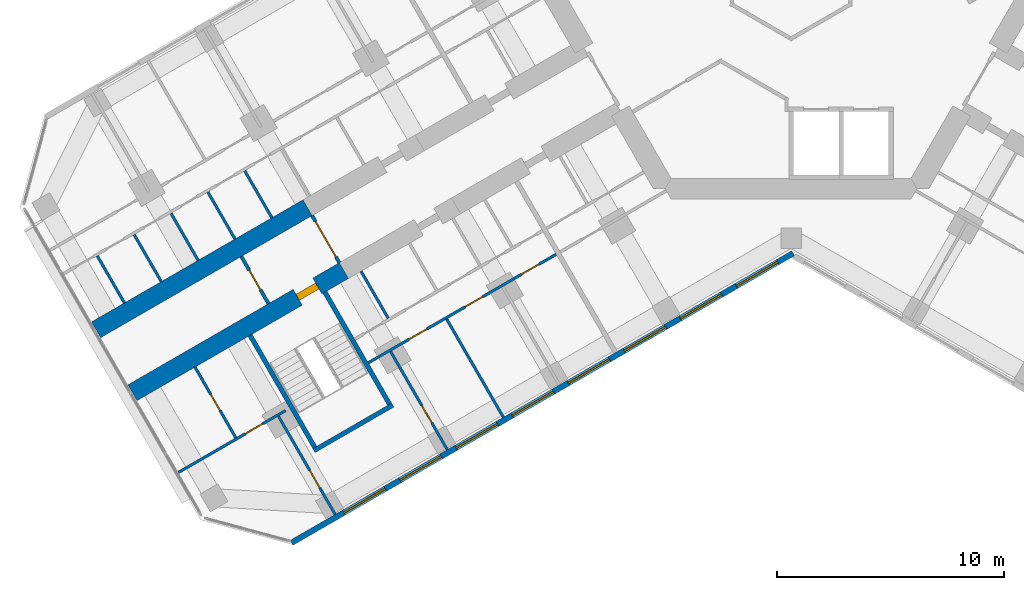
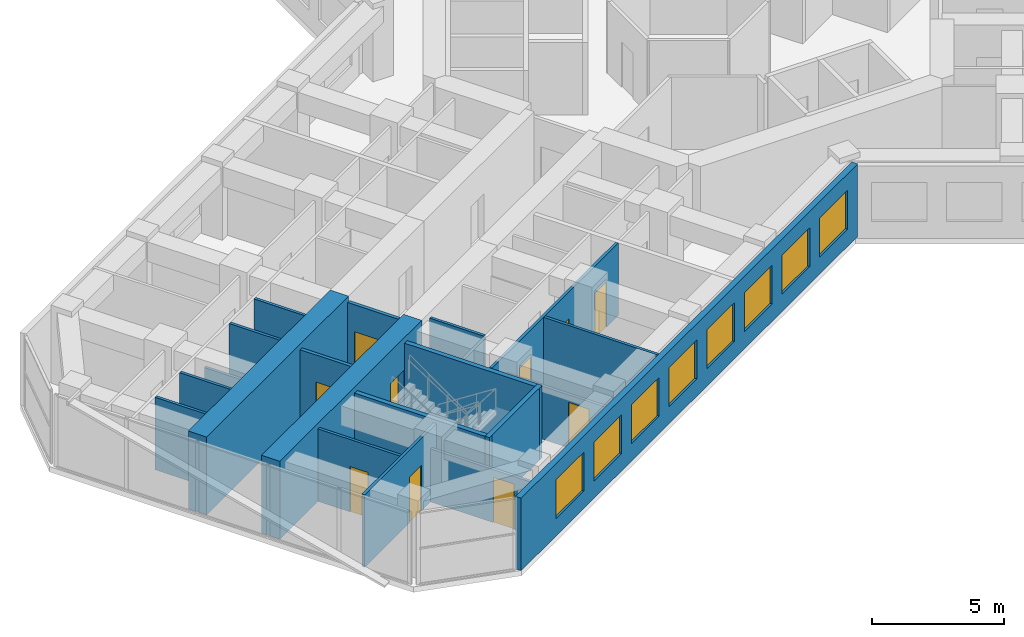
# One storey, part 10 of 19: 20 walls, 10 doors, 8 windows, 18 openings.
"""IFC4 building model written with IfcOpenShell, lengths in metres."""

from ifc_helpers import new_model, si_unit, direction, frame, frame_2d, origin, place, context, subcontext, project, spatial, rectangle, extrude, material, layer, layer_set, type_object, element, fill, save


model = new_model("IFC4")

# Units and contexts
model_context = context("Model", 3, precision=1e-05, world=origin(), true_north=direction((0.0, 1.0)))
body_context = subcontext(model_context, "Body", "Model", "MODEL_VIEW")
ifc_project = project(units=[si_unit("LENGTHUNIT", "METRE"), si_unit("AREAUNIT", "SQUARE_METRE"), si_unit("VOLUMEUNIT", "CUBIC_METRE"), si_unit("PLANEANGLEUNIT", "RADIAN"), si_unit("MASSUNIT", "GRAM", prefix="KILO")], contexts=[model_context])

# Site, building, storey
site_placement = place(None, origin())
site = spatial("IfcSite", under=ifc_project, at=site_placement, CompositionType="ELEMENT")
building_placement = place(site_placement, origin())
building = spatial("IfcBuilding", under=site, at=building_placement, Name="Kosmar Iwan School Tower", CompositionType="ELEMENT")
storey_placement = place(building_placement, frame((0.0, 0.0, 134.60009765625)))
storey = spatial("IfcBuildingStorey", under=building, at=storey_placement, Name="L33", CompositionType="ELEMENT", Elevation=134.60009765625)

# Wall, opening, door
ifc_material_1 = material(Name="Concrete C50/60", Category="concrete")
ifc_layer_1 = layer(ifc_material_1, 0.800048828125)
ifc_layer_set_1 = layer_set([ifc_layer_1], Name="Corridor buttress wall 800")
wall_type_1 = type_object("IfcWallType", Name="Corridor buttress wall 800", PredefinedType="SHEAR", material=ifc_layer_set_1)
wall_1_placement = place(storey_placement, frame((-19.681396484375, -13.210693359375, 0.0), z_axis=(0.0, 0.0, 1.0), x_axis=(-0.866028186671, -0.499995179869, 0.0)))
wall_1 = element("IfcWall", 1, at=wall_1_placement, inside=storey, type_object=wall_type_1, Name="Corridor wall BL bay 3", PredefinedType="SHEAR", context=body_context, shape_type="SweptSolid", body=[
    extrude(rectangle(XDim=10.7451171875, YDim=0.800048828125, at=frame_2d((5.37255859375, 0.0))), origin(), (0.0, 0.0, 1.0), 3.599853515625),
])
opening_1_placement = place(wall_1_placement, frame((1.35009765625, 0.0, 0.0)))
opening_1 = element("IfcOpeningElement", 2, at=opening_1_placement, cuts=wall_1, Name="Opening D6", PredefinedType="OPENING", context=body_context, shape_type="SweptSolid", body=[
    extrude(rectangle(XDim=1.0, YDim=2.10009765625, at=frame_2d((0.5, 1.050048828125))), frame((0.0, 0.412109375, 0.0), z_axis=(0.0, -1.0, 0.0), x_axis=(1.0, 0.0, 0.0)), (0.0, 0.0, 1.0), 0.823974609375),
])
ifc_material_2 = material(Name="Steel fire door", Category="steel")
door_type_1 = type_object("IfcDoorType", Name="Stair door 1000x2100", OperationType="SINGLE_SWING_LEFT", PredefinedType="DOOR", material=ifc_material_2)
door_1_placement = place(opening_1_placement, origin())
door_1 = element("IfcDoor", 3, at=door_1_placement, inside=storey, type_object=door_type_1, Name="Stair WS2 door L33", OperationType="SINGLE_SWING_LEFT", OverallHeight=2.10009765625, OverallWidth=1.0, PredefinedType="DOOR", context=body_context, shape_type="SweptSolid", body=[
    extrude(rectangle(XDim=1.0, YDim=2.10009765625, at=frame_2d((0.5, 1.050048828125))), frame((0.0, 0.14990234375, 0.0), z_axis=(0.0, -1.0, 0.0), x_axis=(1.0, 0.0, 0.0)), (0.0, 0.0, 1.0), 0.300048828125),
])
fill(opening_1, door_1)

# Wall
wall_2_placement = place(storey_placement, frame((-21.281494140625, -10.439453125, 0.0), z_axis=(0.0, 0.0, 1.0), x_axis=(-0.866032345022, -0.499987977232, 0.0)))
element("IfcWall", 4, at=wall_2_placement, inside=storey, type_object=wall_type_1, Name="Corridor wall BR bay 3", PredefinedType="SHEAR", context=body_context, shape_type="SweptSolid", body=[
    extrude(rectangle(XDim=10.744873046875, YDim=0.800048828125, at=frame_2d((5.37255859375, 0.0))), origin(), (0.0, 0.0, 1.0), 3.599853515625),
])

# Wall, opening, door
ifc_material_3 = material(Name="Gypsum board on steel studs, fire-rated", Category="steel")
ifc_layer_2 = layer(ifc_material_3, 0.14990234375)
ifc_layer_set_2 = layer_set([ifc_layer_2], Name="Corridor end wall 150")
wall_type_2 = type_object("IfcWallType", Name="Corridor end wall 150", PredefinedType="PARTITIONING", material=ifc_layer_set_2)
wall_3_placement = place(storey_placement, frame((-24.19921875, -12.585693359375, 0.0), z_axis=(0.0, 0.0, 1.0), x_axis=(0.499957262057, -0.866050077142, 0.0)))
wall_3 = element("IfcWall", 5, at=wall_3_placement, inside=storey, type_object=wall_type_2, Name="Partition L33-B-CE", PredefinedType="PARTITIONING", context=body_context, shape_type="SweptSolid", body=[
    extrude(rectangle(XDim=2.400146484375, YDim=0.14990234375, at=frame_2d((1.2001953125, 0.0))), origin(), (0.0, 0.0, 1.0), 3.349853515625),
])
opening_2_placement = place(wall_3_placement, frame((0.699951171875, 0.0, 0.0)))
opening_2 = element("IfcOpeningElement", 6, at=opening_2_placement, cuts=wall_3, Name="Opening D13", PredefinedType="OPENING", context=body_context, shape_type="SweptSolid", body=[
    extrude(rectangle(XDim=1.0, YDim=2.10009765625, at=frame_2d((0.5, 1.050048828125))), frame((0.0, 0.0869140625, 0.0), z_axis=(0.0, -1.0, 0.0), x_axis=(1.0, 0.0, 0.0)), (0.0, 0.0, 1.0), 0.173828125),
])
ifc_material_4 = material(Name="Timber fire door with vision panel", Category="wood")
door_type_2 = type_object("IfcDoorType", Name="Corridor end door 1000x2100", OperationType="SINGLE_SWING_LEFT", PredefinedType="DOOR", material=ifc_material_4)
door_2_placement = place(opening_2_placement, origin())
door_2 = element("IfcDoor", 7, at=door_2_placement, inside=storey, type_object=door_type_2, Name="Laundry and drying room door L33-B", OperationType="SINGLE_SWING_RIGHT", OverallHeight=2.10009765625, OverallWidth=1.0, PredefinedType="DOOR", context=body_context, shape_type="SweptSolid", body=[
    extrude(rectangle(XDim=1.0, YDim=2.10009765625, at=frame_2d((0.5, 1.050048828125))), frame((0.0, 0.02490234375, 0.0), z_axis=(0.0, -1.0, 0.0), x_axis=(1.0, 0.0, 0.0)), (0.0, 0.0, 1.0), 0.050048828125),
])
fill(opening_2, door_2)

wall_4_placement = place(storey_placement, frame((-21.08154296875, -10.78564453125, 0.0), z_axis=(0.0, 0.0, 1.0), x_axis=(0.499957262057, -0.866050077142, 0.0)))
wall_4 = element("IfcWall", 8, at=wall_4_placement, inside=storey, type_object=wall_type_2, Name="Partition L33-B-HW", PredefinedType="PARTITIONING", context=body_context, shape_type="SweptSolid", body=[
    extrude(rectangle(XDim=2.400146484375, YDim=0.14990234375, at=frame_2d((1.2001953125, 0.0))), origin(), (0.0, 0.0, 1.0), 3.349853515625),
])
opening_3_placement = place(wall_4_placement, frame((0.300048828125, 0.0, 0.0)))
opening_3 = element("IfcOpeningElement", 9, at=opening_3_placement, cuts=wall_4, Name="Opening D9", PredefinedType="OPENING", context=body_context, shape_type="SweptSolid", body=[
    extrude(rectangle(XDim=1.800048828125, YDim=2.10009765625, at=frame_2d((0.89990234375, 1.050048828125))), frame((0.0, 0.0869140625, 0.0), z_axis=(0.0, -1.0, 0.0), x_axis=(1.0, 0.0, 0.0)), (0.0, 0.0, 1.0), 0.173828125),
])
ifc_material_5 = material(Name="Steel framed glazed smoke door", Category="steel")
door_type_3 = type_object("IfcDoorType", Name="Corridor smoke door pair 1800x2100", OperationType="DOUBLE_DOOR_DOUBLE_SWING", PredefinedType="DOOR", material=ifc_material_5)
door_3_placement = place(opening_3_placement, origin())
door_3 = element("IfcDoor", 10, at=door_3_placement, inside=storey, type_object=door_type_3, Name="Hashti vestibule smoke doors L33-B", OperationType="DOUBLE_DOOR_DOUBLE_SWING", OverallHeight=2.10009765625, OverallWidth=1.800048828125, PredefinedType="DOOR", context=body_context, shape_type="SweptSolid", body=[
    extrude(rectangle(XDim=1.800048828125, YDim=2.10009765625, at=frame_2d((0.89990234375, 1.050048828125))), frame((0.0, 0.02490234375, 0.0), z_axis=(0.0, -1.0, 0.0), x_axis=(1.0, 0.0, 0.0)), (0.0, 0.0, 1.0), 0.050048828125),
])
fill(opening_3, door_3)

# Wall, openings, doors
ifc_material_6 = material(Name="Gypsum board on steel studs", Category="steel")
ifc_layer_3 = layer(ifc_material_6, 0.1201171875)
ifc_layer_set_3 = layer_set([ifc_layer_3], Name="Dwelling partition 120")
wall_type_3 = type_object("IfcWallType", Name="Dwelling partition 120", PredefinedType="PARTITIONING", material=ifc_layer_set_3)
wall_5_placement = place(storey_placement, frame((-10.338623046875, -12.492919921875, 0.0), z_axis=(0.0, 0.0, 1.0), x_axis=(-0.866017851049, -0.500013081493, 0.0)))
wall_5 = element("IfcWall", 11, at=wall_5_placement, inside=storey, type_object=wall_type_3, Name="Partition L33-BL2-W2", PredefinedType="PARTITIONING", context=body_context, shape_type="SweptSolid", body=[
    extrude(rectangle(XDim=9.550048828125, YDim=0.1201171875, at=frame_2d((4.77490234375, 0.0))), origin(), (0.0, 0.0, 1.0), 3.349853515625),
])
opening_4_placement = place(wall_5_placement, frame((0.875, 0.0, 0.0)))
opening_4 = element("IfcOpeningElement", 12, at=opening_4_placement, cuts=wall_5, Name="Opening D2", PredefinedType="OPENING", context=body_context, shape_type="SweptSolid", body=[
    extrude(rectangle(XDim=0.89990234375, YDim=2.10009765625, at=frame_2d((0.449951171875, 1.050048828125))), frame((0.0, 0.072021484375, 0.0), z_axis=(0.0, -1.0, 0.0), x_axis=(1.0, 0.0, 0.0)), (0.0, 0.0, 1.0), 0.14404296875),
])
opening_5_placement = place(wall_5_placement, frame((3.72509765625, 0.0, 0.0)))
opening_5 = element("IfcOpeningElement", 13, at=opening_5_placement, cuts=wall_5, Name="Opening D2", PredefinedType="OPENING", context=body_context, shape_type="SweptSolid", body=[
    extrude(rectangle(XDim=0.89990234375, YDim=2.10009765625, at=frame_2d((0.449951171875, 1.050048828125))), frame((0.0, 0.072021484375, 0.0), z_axis=(0.0, -1.0, 0.0), x_axis=(1.0, 0.0, 0.0)), (0.0, 0.0, 1.0), 0.14404296875),
])
opening_6_placement = place(wall_5_placement, frame((6.574951171875, 0.0, 0.0)))
opening_6 = element("IfcOpeningElement", 14, at=opening_6_placement, cuts=wall_5, Name="Opening D2", PredefinedType="OPENING", context=body_context, shape_type="SweptSolid", body=[
    extrude(rectangle(XDim=0.89990234375, YDim=2.10009765625, at=frame_2d((0.449951171875, 1.050048828125))), frame((0.0, 0.072021484375, 0.0), z_axis=(0.0, -1.0, 0.0), x_axis=(1.0, 0.0, 0.0)), (0.0, 0.0, 1.0), 0.14404296875),
])
ifc_material_7 = material(Name="Timber door in timber frame", Category="wood")
door_type_4 = type_object("IfcDoorType", Name="Internal door 900x2100", OperationType="SINGLE_SWING_LEFT", PredefinedType="DOOR", material=ifc_material_7)
door_4_placement = place(opening_4_placement, origin())
door_4 = element("IfcDoor", 15, at=door_4_placement, inside=storey, type_object=door_type_4, Name="Family room and kitchen door L33-BL2-F1", OperationType="SINGLE_SWING_RIGHT", OverallHeight=2.10009765625, OverallWidth=0.89990234375, PredefinedType="DOOR", context=body_context, shape_type="SweptSolid", body=[
    extrude(rectangle(XDim=0.89990234375, YDim=2.10009765625, at=frame_2d((0.449951171875, 1.050048828125))), frame((0.0, 0.02490234375, 0.0), z_axis=(0.0, -1.0, 0.0), x_axis=(1.0, 0.0, 0.0)), (0.0, 0.0, 1.0), 0.050048828125),
])
fill(opening_4, door_4)
door_5_placement = place(opening_5_placement, origin())
door_5 = element("IfcDoor", 16, at=door_5_placement, inside=storey, type_object=door_type_4, Name="Bedroom 2 door L33-BL2-F2", OperationType="SINGLE_SWING_LEFT", OverallHeight=2.10009765625, OverallWidth=0.89990234375, PredefinedType="DOOR", context=body_context, shape_type="SweptSolid", body=[
    extrude(rectangle(XDim=0.89990234375, YDim=2.10009765625, at=frame_2d((0.449951171875, 1.050048828125))), frame((0.0, 0.02490234375, 0.0), z_axis=(0.0, -1.0, 0.0), x_axis=(1.0, 0.0, 0.0)), (0.0, 0.0, 1.0), 0.050048828125),
])
fill(opening_5, door_5)
door_6_placement = place(opening_6_placement, origin())
door_6 = element("IfcDoor", 17, at=door_6_placement, inside=storey, type_object=door_type_4, Name="Bedroom 1 door L33-BL2-F3", OperationType="SINGLE_SWING_RIGHT", OverallHeight=2.10009765625, OverallWidth=0.89990234375, PredefinedType="DOOR", context=body_context, shape_type="SweptSolid", body=[
    extrude(rectangle(XDim=0.89990234375, YDim=2.10009765625, at=frame_2d((0.449951171875, 1.050048828125))), frame((0.0, 0.02490234375, 0.0), z_axis=(0.0, -1.0, 0.0), x_axis=(1.0, 0.0, 0.0)), (0.0, 0.0, 1.0), 0.050048828125),
])
fill(opening_6, door_6)

# Walls
wall_6_placement = place(storey_placement, frame((-15.158447265625, -15.344970703125, 0.0), z_axis=(0.0, 0.0, 1.0), x_axis=(0.500011847778, -0.866018563358, 0.0)))
element("IfcWall", 18, at=wall_6_placement, inside=storey, type_object=wall_type_3, Name="Partition L33-BL2-X2", PredefinedType="PARTITIONING", context=body_context, shape_type="SweptSolid", body=[
    extrude(rectangle(XDim=4.990234375, YDim=0.1201171875, at=frame_2d((2.4951171875, 0.0))), origin(), (0.0, 0.0, 1.0), 3.349853515625),
])
wall_7_placement = place(storey_placement, frame((-18.92724609375, -13.237060546875, 0.0), z_axis=(0.0, 0.0, 1.0), x_axis=(0.500017192868, -0.86601547725, 0.0)))
element("IfcWall", 19, at=wall_7_placement, inside=storey, type_object=wall_type_3, Name="Partition L33-BL2-Y4", PredefinedType="PARTITIONING", context=body_context, shape_type="SweptSolid", body=[
    extrude(rectangle(XDim=2.39013671875, YDim=0.1201171875, at=frame_2d((1.195068359375, 0.0))), origin(), (0.0, 0.0, 1.0), 3.349853515625),
])

# Wall, opening, door
wall_8_placement = place(storey_placement, frame((-17.62646484375, -16.77001953125, 0.0), z_axis=(0.0, 0.0, 1.0), x_axis=(0.499975153383, -0.86603974851, 0.0)))
wall_8 = element("IfcWall", 20, at=wall_8_placement, inside=storey, type_object=wall_type_3, Name="Partition L33-BL2-TB", PredefinedType="PARTITIONING", context=body_context, shape_type="SweptSolid", body=[
    extrude(rectangle(XDim=4.989990234375, YDim=0.1201171875, at=frame_2d((2.4951171875, 0.0))), origin(), (0.0, 0.0, 1.0), 2.449951171875),
])
opening_7_placement = place(wall_8_placement, frame((2.739990234375, 0.0, 0.0)))
opening_7 = element("IfcOpeningElement", 21, at=opening_7_placement, cuts=wall_8, Name="Opening D2", PredefinedType="OPENING", context=body_context, shape_type="SweptSolid", body=[
    extrude(rectangle(XDim=0.89990234375, YDim=2.10009765625, at=frame_2d((0.449951171875, 1.050048828125))), frame((0.0, 0.072021484375, 0.0), z_axis=(0.0, -1.0, 0.0), x_axis=(1.0, 0.0, 0.0)), (0.0, 0.0, 1.0), 0.14404296875),
])
door_7_placement = place(opening_7_placement, origin())
door_7 = element("IfcDoor", 22, at=door_7_placement, inside=storey, type_object=door_type_4, Name="Study door L33-BL2-F3", OperationType="SINGLE_SWING_RIGHT", OverallHeight=2.10009765625, OverallWidth=0.89990234375, PredefinedType="DOOR", context=body_context, shape_type="SweptSolid", body=[
    extrude(rectangle(XDim=0.89990234375, YDim=2.10009765625, at=frame_2d((0.449951171875, 1.050048828125))), frame((0.0, 0.02490234375, 0.0), z_axis=(0.0, -1.0, 0.0), x_axis=(1.0, 0.0, 0.0)), (0.0, 0.0, 1.0), 0.050048828125),
])
fill(opening_7, door_7)

wall_9_placement = place(storey_placement, frame((-22.562744140625, -19.6201171875, 0.0), z_axis=(0.0, 0.0, 1.0), x_axis=(0.499996339024, -0.86602751744, 0.0)))
wall_9 = element("IfcWall", 23, at=wall_9_placement, inside=storey, type_object=wall_type_3, Name="Partition L33-BL2-TX", PredefinedType="PARTITIONING", context=body_context, shape_type="SweptSolid", body=[
    extrude(rectangle(XDim=4.98974609375, YDim=0.1201171875, at=frame_2d((2.494873046875, 0.0))), origin(), (0.0, 0.0, 1.0), 2.449951171875),
])
opening_8_placement = place(wall_9_placement, frame((2.739990234375, 0.0, 0.0)))
opening_8 = element("IfcOpeningElement", 24, at=opening_8_placement, cuts=wall_9, Name="Opening D2", PredefinedType="OPENING", context=body_context, shape_type="SweptSolid", body=[
    extrude(rectangle(XDim=0.89990234375, YDim=2.10009765625, at=frame_2d((0.449951171875, 1.050048828125))), frame((0.0, 0.072021484375, 0.0), z_axis=(0.0, -1.0, 0.0), x_axis=(1.0, 0.0, 0.0)), (0.0, 0.0, 1.0), 0.14404296875),
])
door_8_placement = place(opening_8_placement, origin())
door_8 = element("IfcDoor", 25, at=door_8_placement, inside=storey, type_object=door_type_4, Name="Study door L33-BL2-T1", OperationType="SINGLE_SWING_RIGHT", OverallHeight=2.10009765625, OverallWidth=0.89990234375, PredefinedType="DOOR", context=body_context, shape_type="SweptSolid", body=[
    extrude(rectangle(XDim=0.89990234375, YDim=2.10009765625, at=frame_2d((0.449951171875, 1.050048828125))), frame((0.0, 0.02490234375, 0.0), z_axis=(0.0, -1.0, 0.0), x_axis=(1.0, 0.0, 0.0)), (0.0, 0.0, 1.0), 0.050048828125),
])
fill(opening_8, door_8)

wall_10_placement = place(storey_placement, frame((-22.246337890625, -19.3681640625, 0.0), z_axis=(0.0, 0.0, 1.0), x_axis=(-0.866035508231, -0.499982498177, 0.0)))
wall_10 = element("IfcWall", 26, at=wall_10_placement, inside=storey, type_object=wall_type_3, Name="Partition L33-BL2-TW", PredefinedType="PARTITIONING", context=body_context, shape_type="SweptSolid", body=[
    extrude(rectangle(XDim=5.445068359375, YDim=0.1201171875, at=frame_2d((2.72265625, 0.0))), origin(), (0.0, 0.0, 1.0), 3.349853515625),
])
opening_9_placement = place(wall_10_placement, frame((1.14990234375, 0.0, 0.0)))
opening_9 = element("IfcOpeningElement", 27, at=opening_9_placement, cuts=wall_10, Name="Opening D2", PredefinedType="OPENING", context=body_context, shape_type="SweptSolid", body=[
    extrude(rectangle(XDim=0.89990234375, YDim=2.10009765625, at=frame_2d((0.449951171875, 1.050048828125))), frame((0.0, 0.072021484375, 0.0), z_axis=(0.0, -1.0, 0.0), x_axis=(1.0, 0.0, 0.0)), (0.0, 0.0, 1.0), 0.14404296875),
])
door_9_placement = place(opening_9_placement, origin())
door_9 = element("IfcDoor", 28, at=door_9_placement, inside=storey, type_object=door_type_4, Name="Dressing room door L33-BL2-T3", OperationType="SINGLE_SWING_LEFT", OverallHeight=2.10009765625, OverallWidth=0.89990234375, PredefinedType="DOOR", context=body_context, shape_type="SweptSolid", body=[
    extrude(rectangle(XDim=0.89990234375, YDim=2.10009765625, at=frame_2d((0.449951171875, 1.050048828125))), frame((0.0, 0.02490234375, 0.0), z_axis=(0.0, -1.0, 0.0), x_axis=(1.0, 0.0, 0.0)), (0.0, 0.0, 1.0), 0.050048828125),
])
fill(opening_9, door_9)

wall_11_placement = place(storey_placement, frame((-26.236572265625, -17.45703125, 0.0), z_axis=(0.0, 0.0, 1.0), x_axis=(0.50002266109, -0.866012320003, 0.0)))
wall_11 = element("IfcWall", 29, at=wall_11_placement, inside=storey, type_object=wall_type_3, Name="Partition L33-BL2-TY", PredefinedType="PARTITIONING", context=body_context, shape_type="SweptSolid", body=[
    extrude(rectangle(XDim=3.590087890625, YDim=0.1201171875, at=frame_2d((1.794921875, 0.0))), origin(), (0.0, 0.0, 1.0), 3.349853515625),
])
opening_10_placement = place(wall_11_placement, frame((1.39501953125, 0.0, 0.0)))
opening_10 = element("IfcOpeningElement", 30, at=opening_10_placement, cuts=wall_11, Name="Opening D3", PredefinedType="OPENING", context=body_context, shape_type="SweptSolid", body=[
    extrude(rectangle(XDim=0.800048828125, YDim=2.10009765625, at=frame_2d((0.39990234375, 1.050048828125))), frame((0.0, 0.072021484375, 0.0), z_axis=(0.0, -1.0, 0.0), x_axis=(1.0, 0.0, 0.0)), (0.0, 0.0, 1.0), 0.14404296875),
])
ifc_material_8 = material(Name="Timber door in timber frame", Category="wood")
door_type_5 = type_object("IfcDoorType", Name="Sanitary room door 800x2100", OperationType="SINGLE_SWING_LEFT", PredefinedType="DOOR", material=ifc_material_8)
door_10_placement = place(opening_10_placement, origin())
door_10 = element("IfcDoor", 31, at=door_10_placement, inside=storey, type_object=door_type_5, Name="Shower room door L33-BL2-T4", OperationType="SINGLE_SWING_LEFT", OverallHeight=2.10009765625, OverallWidth=0.800048828125, PredefinedType="DOOR", context=body_context, shape_type="SweptSolid", body=[
    extrude(rectangle(XDim=0.800048828125, YDim=2.10009765625, at=frame_2d((0.39990234375, 1.050048828125))), frame((0.0, 0.02490234375, 0.0), z_axis=(0.0, -1.0, 0.0), x_axis=(1.0, 0.0, 0.0)), (0.0, 0.0, 1.0), 0.050048828125),
])
fill(opening_10, door_10)

# Walls
wall_12_placement = place(storey_placement, frame((-22.852783203125, -10.884521484375, 0.0), z_axis=(0.0, 0.0, 1.0), x_axis=(-0.499940577336, 0.866059708757, 0.0)))
element("IfcWall", 32, at=wall_12_placement, inside=storey, type_object=wall_type_3, Name="Partition L33-BR2-Y3", PredefinedType="PARTITIONING", context=body_context, shape_type="SweptSolid", body=[
    extrude(rectangle(XDim=2.389892578125, YDim=0.1201171875, at=frame_2d((1.19482421875, 0.0))), origin(), (0.0, 0.0, 1.0), 3.349853515625),
])
wall_13_placement = place(storey_placement, frame((-24.47509765625, -11.8212890625, 0.0), z_axis=(0.0, 0.0, 1.0), x_axis=(-0.500017192868, 0.86601547725, 0.0)))
element("IfcWall", 33, at=wall_13_placement, inside=storey, type_object=wall_type_3, Name="Partition L33-BR2-Y4", PredefinedType="PARTITIONING", context=body_context, shape_type="SweptSolid", body=[
    extrude(rectangle(XDim=2.39013671875, YDim=0.1201171875, at=frame_2d((1.195068359375, 0.0))), origin(), (0.0, 0.0, 1.0), 3.349853515625),
])
wall_14_placement = place(storey_placement, frame((-26.097412109375, -12.758056640625, 0.0), z_axis=(0.0, 0.0, 1.0), x_axis=(-0.500017192868, 0.86601547725, 0.0)))
element("IfcWall", 34, at=wall_14_placement, inside=storey, type_object=wall_type_3, Name="Partition L33-BR2-Y5", PredefinedType="PARTITIONING", context=body_context, shape_type="SweptSolid", body=[
    extrude(rectangle(XDim=2.39013671875, YDim=0.1201171875, at=frame_2d((1.195068359375, 0.0))), origin(), (0.0, 0.0, 1.0), 2.449951171875),
])
for number, where, z_axis, x_axis, name in (
    (35, (-27.7197265625, -13.694580078125, 0.0), (0.0, 0.0, 1.0), (-0.500017192868, 0.86601547725, 0.0), "Partition L33-BR2-Y6"),
    (36, (-29.342041015625, -14.63134765625, 0.0), (0.0, 0.0, 1.0), (-0.500017192868, 0.86601547725, 0.0), "Partition L33-BR2-Y7"),
):
    element("IfcWall", number, at=place(storey_placement, frame(where, z_axis=z_axis, x_axis=x_axis)), inside=storey, type_object=wall_type_3, Name=name, PredefinedType="PARTITIONING", context=body_context, shape_type="SweptSolid", body=[
        extrude(rectangle(XDim=2.39013671875, YDim=0.1201171875, at=frame_2d((1.195068359375, 0.0))), origin(), (0.0, 0.0, 1.0), 3.349853515625),
    ])
ifc_material_9 = material(Name="Concrete C35/45", Category="concrete")
ifc_layer_4 = layer(ifc_material_9, 0.199951171875)
ifc_layer_set_4 = layer_set([ifc_layer_4], Name="Escape stair wall 200")
wall_type_4 = type_object("IfcWallType", Name="Escape stair wall 200", PredefinedType="SHEAR", material=ifc_layer_set_4)
wall_15_placement = place(storey_placement, frame((-20.520751953125, -14.156982421875, 0.0), z_axis=(0.0, 0.0, 1.0), x_axis=(0.499988710057, -0.866031921938, 0.0)))
element("IfcWall", 37, at=wall_15_placement, inside=storey, type_object=wall_type_4, Name="Stair WS2 wall", PredefinedType="SHEAR", context=body_context, shape_type="SweptSolid", body=[
    extrude(rectangle(XDim=5.900146484375, YDim=0.199951171875, at=frame_2d((2.9501953125, 0.0))), origin(), (0.0, 0.0, 1.0), 3.329833984375),
])
wall_16_placement = place(storey_placement, frame((-23.8115234375, -16.05712890625, 0.0), z_axis=(0.0, 0.0, 1.0), x_axis=(0.500006628179, -0.86602157697, 0.0)))
element("IfcWall", 38, at=wall_16_placement, inside=storey, type_object=wall_type_4, Name="Stair WS2 wall", PredefinedType="SHEAR", context=body_context, shape_type="SweptSolid", body=[
    extrude(rectangle(XDim=5.89990234375, YDim=0.199951171875, at=frame_2d((2.949951171875, 0.0))), origin(), (0.0, 0.0, 1.0), 3.329833984375),
])
wall_17_placement = place(storey_placement, frame((-17.5341796875, -19.1298828125, 0.0), z_axis=(0.0, 0.0, 1.0), x_axis=(-0.866026010844, -0.49999894854, 0.0)))
element("IfcWall", 39, at=wall_17_placement, inside=storey, type_object=wall_type_4, Name="Stair WS2 wall", PredefinedType="SHEAR", context=body_context, shape_type="SweptSolid", body=[
    extrude(rectangle(XDim=4.0, YDim=0.199951171875, at=frame_2d((2.0, 0.0))), origin(), (0.0, 0.0, 1.0), 3.329833984375),
])

# Wall, openings, windows
ifc_material_10 = material(Name="Black aluminium rainscreen on insulated framing", Category="aluminium")
ifc_layer_5 = layer(ifc_material_10, 0.25)
ifc_layer_set_5 = layer_set([ifc_layer_5], Name="External wall rainscreen 250")
wall_type_5 = type_object("IfcWallType", Name="External wall rainscreen 250", PredefinedType="SOLIDWALL", material=ifc_layer_set_5)
wall_18_placement = place(storey_placement, frame((0.088134765625, -12.44873046875, 0.0), z_axis=(0.0, 0.0, 1.0), x_axis=(-0.866026390279, -0.499998291337, 0.0)))
wall_18 = element("IfcWall", 40, at=wall_18_placement, inside=storey, type_object=wall_type_5, Name="External wall BL L33", PredefinedType="SOLIDWALL", context=body_context, shape_type="SweptSolid", body=[
    extrude(rectangle(XDim=25.4873046875, YDim=0.25, at=frame_2d((12.74365234375, 0.0))), origin(), (0.0, 0.0, 1.0), 3.349853515625),
])
opening_11_placement = place(wall_18_placement, frame((0.777099609375, 0.0, 0.800048828125)))
opening_11 = element("IfcOpeningElement", 41, at=opening_11_placement, cuts=wall_18, Name="Opening W4", PredefinedType="OPENING", context=body_context, shape_type="SweptSolid", body=[
    extrude(rectangle(XDim=2.10009765625, YDim=1.800048828125, at=frame_2d((1.050048828125, 0.89990234375))), frame((0.0, 0.136962890625, 0.0), z_axis=(0.0, -1.0, 0.0), x_axis=(1.0, 0.0, 0.0)), (0.0, 0.0, 1.0), 0.27392578125),
])
opening_12_placement = place(wall_18_placement, frame((3.626953125, 0.0, 0.800048828125)))
opening_12 = element("IfcOpeningElement", 42, at=opening_12_placement, cuts=wall_18, Name="Opening W4", PredefinedType="OPENING", context=body_context, shape_type="SweptSolid", body=[
    extrude(rectangle(XDim=2.10009765625, YDim=1.800048828125, at=frame_2d((1.050048828125, 0.89990234375))), frame((0.0, 0.136962890625, 0.0), z_axis=(0.0, -1.0, 0.0), x_axis=(1.0, 0.0, 0.0)), (0.0, 0.0, 1.0), 0.27392578125),
])
opening_13_placement = place(wall_18_placement, frame((6.47705078125, 0.0, 0.800048828125)))
opening_13 = element("IfcOpeningElement", 43, at=opening_13_placement, cuts=wall_18, Name="Opening W4", PredefinedType="OPENING", context=body_context, shape_type="SweptSolid", body=[
    extrude(rectangle(XDim=2.10009765625, YDim=1.800048828125, at=frame_2d((1.050048828125, 0.89990234375))), frame((0.0, 0.136962890625, 0.0), z_axis=(0.0, -1.0, 0.0), x_axis=(1.0, 0.0, 0.0)), (0.0, 0.0, 1.0), 0.27392578125),
])
opening_14_placement = place(wall_18_placement, frame((9.326904296875, 0.0, 0.800048828125)))
opening_14 = element("IfcOpeningElement", 44, at=opening_14_placement, cuts=wall_18, Name="Opening W4", PredefinedType="OPENING", context=body_context, shape_type="SweptSolid", body=[
    extrude(rectangle(XDim=2.10009765625, YDim=1.800048828125, at=frame_2d((1.050048828125, 0.89990234375))), frame((0.0, 0.136962890625, 0.0), z_axis=(0.0, -1.0, 0.0), x_axis=(1.0, 0.0, 0.0)), (0.0, 0.0, 1.0), 0.27392578125),
])
opening_15_placement = place(wall_18_placement, frame((12.177001953125, 0.0, 0.800048828125)))
opening_15 = element("IfcOpeningElement", 45, at=opening_15_placement, cuts=wall_18, Name="Opening W4", PredefinedType="OPENING", context=body_context, shape_type="SweptSolid", body=[
    extrude(rectangle(XDim=2.10009765625, YDim=1.800048828125, at=frame_2d((1.050048828125, 0.89990234375))), frame((0.0, 0.136962890625, 0.0), z_axis=(0.0, -1.0, 0.0), x_axis=(1.0, 0.0, 0.0)), (0.0, 0.0, 1.0), 0.27392578125),
])
opening_16_placement = place(wall_18_placement, frame((15.027099609375, 0.0, 0.800048828125)))
opening_16 = element("IfcOpeningElement", 46, at=opening_16_placement, cuts=wall_18, Name="Opening W4", PredefinedType="OPENING", context=body_context, shape_type="SweptSolid", body=[
    extrude(rectangle(XDim=2.10009765625, YDim=1.800048828125, at=frame_2d((1.050048828125, 0.89990234375))), frame((0.0, 0.136962890625, 0.0), z_axis=(0.0, -1.0, 0.0), x_axis=(1.0, 0.0, 0.0)), (0.0, 0.0, 1.0), 0.27392578125),
])
opening_17_placement = place(wall_18_placement, frame((17.876953125, 0.0, 0.800048828125)))
opening_17 = element("IfcOpeningElement", 47, at=opening_17_placement, cuts=wall_18, Name="Opening W4", PredefinedType="OPENING", context=body_context, shape_type="SweptSolid", body=[
    extrude(rectangle(XDim=2.10009765625, YDim=1.800048828125, at=frame_2d((1.050048828125, 0.89990234375))), frame((0.0, 0.136962890625, 0.0), z_axis=(0.0, -1.0, 0.0), x_axis=(1.0, 0.0, 0.0)), (0.0, 0.0, 1.0), 0.27392578125),
])
opening_18_placement = place(wall_18_placement, frame((20.72705078125, 0.0, 0.800048828125)))
opening_18 = element("IfcOpeningElement", 48, at=opening_18_placement, cuts=wall_18, Name="Opening W4", PredefinedType="OPENING", context=body_context, shape_type="SweptSolid", body=[
    extrude(rectangle(XDim=2.10009765625, YDim=1.800048828125, at=frame_2d((1.050048828125, 0.89990234375))), frame((0.0, 0.136962890625, 0.0), z_axis=(0.0, -1.0, 0.0), x_axis=(1.0, 0.0, 0.0)), (0.0, 0.0, 1.0), 0.27392578125),
])
ifc_material_11 = material(Name="Black aluminium frame with dark triple glazing", Category="aluminium")
window_type = type_object("IfcWindowType", Name="Window 2100x1800", PartitioningType="SINGLE_PANEL", PredefinedType="WINDOW", material=ifc_material_11)
window_1_placement = place(opening_11_placement, origin())
window_1 = element("IfcWindow", 49, at=window_1_placement, inside=storey, type_object=window_type, Name="Window BL L33 -1", OverallHeight=1.800048828125, OverallWidth=2.10009765625, PartitioningType="SINGLE_PANEL", PredefinedType="WINDOW", context=body_context, shape_type="SweptSolid", body=[
    extrude(rectangle(XDim=2.10009765625, YDim=1.800048828125, at=frame_2d((1.050048828125, 0.89990234375))), frame((0.0, 0.030029296875, 0.0), z_axis=(0.0, -1.0, 0.0), x_axis=(1.0, 0.0, 0.0)), (0.0, 0.0, 1.0), 0.06005859375),
])
fill(opening_11, window_1)
window_2_placement = place(opening_12_placement, origin())
window_2 = element("IfcWindow", 50, at=window_2_placement, inside=storey, type_object=window_type, Name="Window BL L33 0", OverallHeight=1.800048828125, OverallWidth=2.10009765625, PartitioningType="SINGLE_PANEL", PredefinedType="WINDOW", context=body_context, shape_type="SweptSolid", body=[
    extrude(rectangle(XDim=2.10009765625, YDim=1.800048828125, at=frame_2d((1.050048828125, 0.89990234375))), frame((0.0, 0.030029296875, 0.0), z_axis=(0.0, -1.0, 0.0), x_axis=(1.0, 0.0, 0.0)), (0.0, 0.0, 1.0), 0.06005859375),
])
fill(opening_12, window_2)
window_3_placement = place(opening_13_placement, origin())
window_3 = element("IfcWindow", 51, at=window_3_placement, inside=storey, type_object=window_type, Name="Window BL L33 1", OverallHeight=1.800048828125, OverallWidth=2.10009765625, PartitioningType="SINGLE_PANEL", PredefinedType="WINDOW", context=body_context, shape_type="SweptSolid", body=[
    extrude(rectangle(XDim=2.10009765625, YDim=1.800048828125, at=frame_2d((1.050048828125, 0.89990234375))), frame((0.0, 0.030029296875, 0.0), z_axis=(0.0, -1.0, 0.0), x_axis=(1.0, 0.0, 0.0)), (0.0, 0.0, 1.0), 0.06005859375),
])
fill(opening_13, window_3)
window_4_placement = place(opening_14_placement, origin())
window_4 = element("IfcWindow", 52, at=window_4_placement, inside=storey, type_object=window_type, Name="Window BL L33 2", OverallHeight=1.800048828125, OverallWidth=2.10009765625, PartitioningType="SINGLE_PANEL", PredefinedType="WINDOW", context=body_context, shape_type="SweptSolid", body=[
    extrude(rectangle(XDim=2.10009765625, YDim=1.800048828125, at=frame_2d((1.050048828125, 0.89990234375))), frame((0.0, 0.030029296875, 0.0), z_axis=(0.0, -1.0, 0.0), x_axis=(1.0, 0.0, 0.0)), (0.0, 0.0, 1.0), 0.06005859375),
])
fill(opening_14, window_4)
window_5_placement = place(opening_15_placement, origin())
window_5 = element("IfcWindow", 53, at=window_5_placement, inside=storey, type_object=window_type, Name="Window BL L33 3", OverallHeight=1.800048828125, OverallWidth=2.10009765625, PartitioningType="SINGLE_PANEL", PredefinedType="WINDOW", context=body_context, shape_type="SweptSolid", body=[
    extrude(rectangle(XDim=2.10009765625, YDim=1.800048828125, at=frame_2d((1.050048828125, 0.89990234375))), frame((0.0, 0.030029296875, 0.0), z_axis=(0.0, -1.0, 0.0), x_axis=(1.0, 0.0, 0.0)), (0.0, 0.0, 1.0), 0.06005859375),
])
fill(opening_15, window_5)
window_6_placement = place(opening_16_placement, origin())
window_6 = element("IfcWindow", 54, at=window_6_placement, inside=storey, type_object=window_type, Name="Window BL L33 4", OverallHeight=1.800048828125, OverallWidth=2.10009765625, PartitioningType="SINGLE_PANEL", PredefinedType="WINDOW", context=body_context, shape_type="SweptSolid", body=[
    extrude(rectangle(XDim=2.10009765625, YDim=1.800048828125, at=frame_2d((1.050048828125, 0.89990234375))), frame((0.0, 0.030029296875, 0.0), z_axis=(0.0, -1.0, 0.0), x_axis=(1.0, 0.0, 0.0)), (0.0, 0.0, 1.0), 0.06005859375),
])
fill(opening_16, window_6)
window_7_placement = place(opening_17_placement, origin())
window_7 = element("IfcWindow", 55, at=window_7_placement, inside=storey, type_object=window_type, Name="Window BL L33 5", OverallHeight=1.800048828125, OverallWidth=2.10009765625, PartitioningType="SINGLE_PANEL", PredefinedType="WINDOW", context=body_context, shape_type="SweptSolid", body=[
    extrude(rectangle(XDim=2.10009765625, YDim=1.800048828125, at=frame_2d((1.050048828125, 0.89990234375))), frame((0.0, 0.030029296875, 0.0), z_axis=(0.0, -1.0, 0.0), x_axis=(1.0, 0.0, 0.0)), (0.0, 0.0, 1.0), 0.06005859375),
])
fill(opening_17, window_7)
window_8_placement = place(opening_18_placement, origin())
window_8 = element("IfcWindow", 56, at=window_8_placement, inside=storey, type_object=window_type, Name="Window BL L33 6", OverallHeight=1.800048828125, OverallWidth=2.10009765625, PartitioningType="SINGLE_PANEL", PredefinedType="WINDOW", context=body_context, shape_type="SweptSolid", body=[
    extrude(rectangle(XDim=2.10009765625, YDim=1.800048828125, at=frame_2d((1.050048828125, 0.89990234375))), frame((0.0, 0.030029296875, 0.0), z_axis=(0.0, -1.0, 0.0), x_axis=(1.0, 0.0, 0.0)), (0.0, 0.0, 1.0), 0.06005859375),
])
fill(opening_18, window_8)

save(model, "model.ifc")
